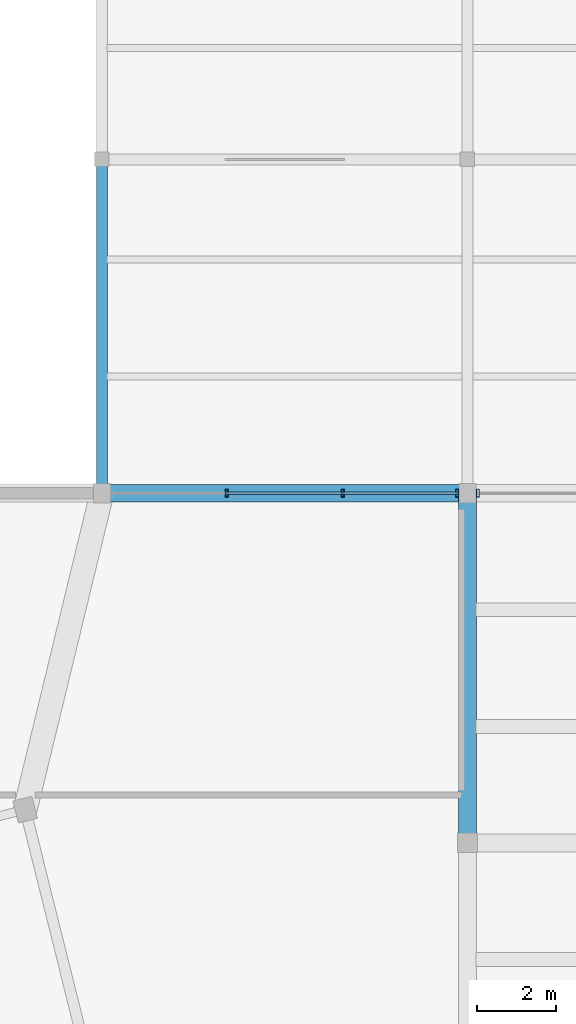
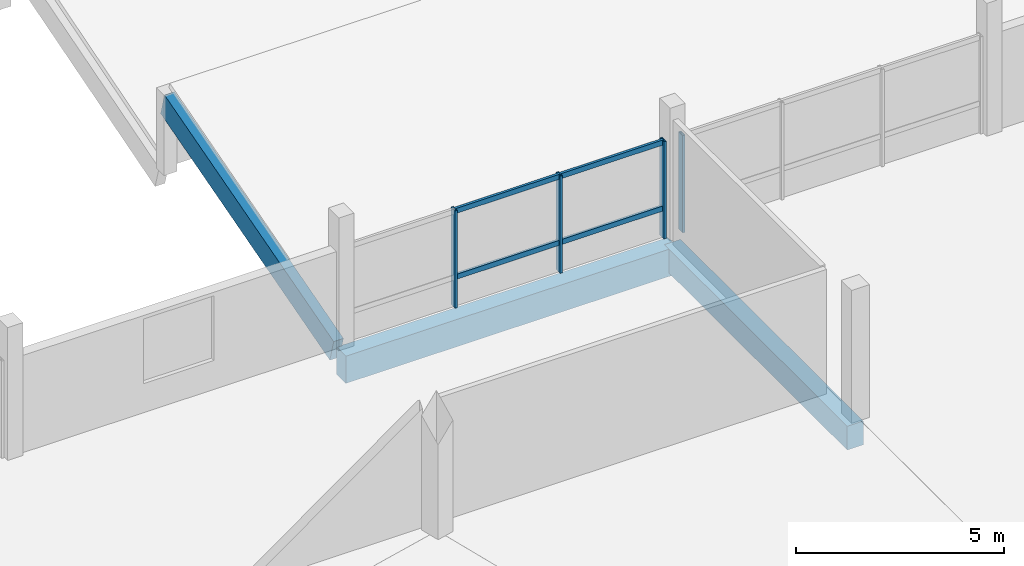
# One storey, part 40 of 62: 8 members, 3 beams, 2 elements without a shape of their own.
"""IFC4 building model written with IfcOpenShell, lengths in metres."""

from ifc_helpers import new_model, si_unit, direction, frame, origin, origin_2d, place, context, subcontext, project, spatial, rectangle, hollow_rectangle, extrude, material, layer, layer_set, material_profile, profile_set, type_object, element, aggregate, save


model = new_model("IFC4")

# Units and contexts
model_context = context("Model", 3, precision=1e-05, world=origin(), true_north=direction((0.0, 1.0)))
body_context = subcontext(model_context, "Body", "Model", "MODEL_VIEW")
ifc_project = project(units=[si_unit("LENGTHUNIT", "METRE"), si_unit("AREAUNIT", "SQUARE_METRE"), si_unit("VOLUMEUNIT", "CUBIC_METRE"), si_unit("PLANEANGLEUNIT", "RADIAN"), si_unit("MASSUNIT", "GRAM", prefix="KILO")], contexts=[model_context])

# Site, building, storey
site_placement = place(None, origin())
site = spatial("IfcSite", under=ifc_project, at=site_placement, CompositionType="ELEMENT")
building_placement = place(site_placement, origin())
building = spatial("IfcBuilding", under=site, at=building_placement, Name="Meriwether Solvik Hall", CompositionType="ELEMENT")
storey_placement = place(building_placement, frame((0.0, 0.0, 14.39990234375)))
storey = spatial("IfcBuildingStorey", under=building, at=storey_placement, Name="L03", CompositionType="ELEMENT", Elevation=14.39990234375)

# Beams
ifc_material_1 = material(Name="Glulam Douglas-Fir 24F-V8 GL28h", Category="wood")
ifc_material_profile_1 = material_profile(ifc_material_1, rectangle(XDim=0.27294921875, YDim=0.68505859375, at=origin_2d()), Name="GLB-273X685")
ifc_profile_set_1 = profile_set([ifc_material_profile_1], Name="Glulam Douglas-Fir 24F-V8 GL28h")
beam_type_1 = type_object("IfcBeamType", Name="BM-GL-273X685", PredefinedType="BEAM", material=ifc_profile_set_1)
beam_1_placement = place(storey_placement, frame((105.0, 93.021484375, -0.3125), z_axis=(0.0, 0.962120295862, 0.272625267155), x_axis=(-1.0, 0.0, 0.0)))
element("IfcBeam", 1, at=beam_1_placement, inside=storey, type_object=beam_type_1, Name="Raking Glulam Roof Rafter w2_saw_1-12 (L03)", PredefinedType="BEAM", context=body_context, shape_type="SweptSolid", body=[
    extrude(rectangle(XDim=0.27294921875, YDim=0.68505859375, at=origin_2d()), origin(), (0.0, 0.0, 1.0), 8.46435546875),
])
ifc_material_2 = material(Name="Concrete C40/50", Category="concrete")
ifc_material_profile_2 = material_profile(ifc_material_2, rectangle(XDim=0.449951171875, YDim=0.699951171875, at=origin_2d()), Name="RCB-450X700")
ifc_profile_set_2 = profile_set([ifc_material_profile_2], Name="Concrete C40/50")
beam_type_2 = type_object("IfcBeamType", Name="BM-RC-450X700", PredefinedType="BEAM", material=ifc_profile_set_2)
beam_2_placement = place(storey_placement, frame((114.199951171875, 84.0, -0.594970703125), z_axis=(0.0, 1.0, 0.0), x_axis=(-1.0, 0.0, 0.0)))
element("IfcBeam", 2, at=beam_2_placement, inside=storey, type_object=beam_type_2, Name="Podium Girder 13:J-K (L03)", PredefinedType="BEAM", context=body_context, shape_type="SweptSolid", body=[
    extrude(rectangle(XDim=0.449951171875, YDim=0.699951171875, at=origin_2d()), origin(), (0.0, 0.0, 1.0), 8.800048828125),
])
ifc_material_3 = material(Name="Concrete C40/50", Category="concrete")
ifc_material_profile_3 = material_profile(ifc_material_3, rectangle(XDim=0.449951171875, YDim=0.800048828125, at=origin_2d()), Name="RCB-450X800")
ifc_profile_set_3 = profile_set([ifc_material_profile_3], Name="Concrete C40/50")
beam_type_3 = type_object("IfcBeamType", Name="BM-RC-450X800", PredefinedType="BEAM", material=ifc_profile_set_3)
beam_3_placement = place(storey_placement, frame((105.0, 92.800048828125, -0.64501953125), z_axis=(1.0, 0.0, 0.0), x_axis=(0.0, 1.0, 0.0)))
element("IfcBeam", 3, at=beam_3_placement, inside=storey, type_object=beam_type_3, Name="Podium Girder K:12-13 (L03)", PredefinedType="BEAM", context=body_context, shape_type="SweptSolid", body=[
    extrude(rectangle(XDim=0.449951171875, YDim=0.800048828125, at=origin_2d()), origin(), (0.0, 0.0, 1.0), 9.199951171875),
])

# Curtain wall, members
ifc_material_4 = material(Name="Thermally Broken Anodised Aluminium 6063-T6 and Low-E Glass", Category="aluminium")
ifc_layer = layer(ifc_material_4, 0.179931640625)
ifc_layer_set = layer_set([ifc_layer], Name="Thermally Broken Anodised Aluminium 6063-T6 and Low-E Glass")
curtain_wall_type = type_object("IfcCurtainWallType", Name="CW-UNIT-E", PredefinedType="USERDEFINED", material=ifc_layer_set)
curtain_wall_1_placement = place(storey_placement, origin())
curtain_wall_1 = element("IfcCurtainWall", 4, at=curtain_wall_1_placement, inside=storey, type_object=curtain_wall_type, Name="Curtain Wall wing_XK_12_17 (L03)", ObjectType="UNITISED CURTAIN WALL", PredefinedType="USERDEFINED")
ifc_material_5 = material(Name="Anodised Aluminium 6063-T6", Category="aluminium")
ifc_material_profile_4 = material_profile(ifc_material_5, hollow_rectangle(XDim=0.070068359375, YDim=0.199951171875, WallThickness=0.0048828125, at=origin_2d()), Name="CWM-70X200")
ifc_profile_set_4 = profile_set([ifc_material_profile_4], Name="Anodised Aluminium 6063-T6")
member_type_1 = type_object("IfcMemberType", Name="CW-MUL-70X200", PredefinedType="MULLION", material=ifc_profile_set_4)
member_1_placement = place(storey_placement, frame((108.140625, 92.800048828125, 0.0), z_axis=(0.0, 0.0, 1.0), x_axis=(1.0, 0.0, 0.0)))
member_1 = element("IfcMember", 5, at=member_1_placement, type_object=member_type_1, Name="Curtain Wall Mullion 2", PredefinedType="MULLION", context=body_context, shape_type="SweptSolid", body=[
    extrude(hollow_rectangle(XDim=0.070068359375, YDim=0.199951171875, WallThickness=0.0048828125, at=origin_2d()), origin(), (0.0, 0.0, 1.0), 2.85498046875),
])
member_2_placement = place(storey_placement, frame((111.059326171875, 92.800048828125, 0.0), z_axis=(0.0, 0.0, 1.0), x_axis=(1.0, 0.0, 0.0)))
member_2 = element("IfcMember", 6, at=member_2_placement, type_object=member_type_1, Name="Curtain Wall Mullion 3", PredefinedType="MULLION", context=body_context, shape_type="SweptSolid", body=[
    extrude(hollow_rectangle(XDim=0.070068359375, YDim=0.199951171875, WallThickness=0.0048828125, at=origin_2d()), origin(), (0.0, 0.0, 1.0), 2.85498046875),
])
member_3_placement = place(storey_placement, frame((113.93994140625, 92.800048828125, 0.0), z_axis=(0.0, 0.0, 1.0), x_axis=(1.0, 0.0, 0.0)))
member_3 = element("IfcMember", 7, at=member_3_placement, type_object=member_type_1, Name="Curtain Wall Mullion 4", PredefinedType="MULLION", context=body_context, shape_type="SweptSolid", body=[
    extrude(hollow_rectangle(XDim=0.070068359375, YDim=0.199951171875, WallThickness=0.0048828125, at=origin_2d()), origin(), (0.0, 0.0, 1.0), 2.85498046875),
])

# Curtain wall, member
curtain_wall_2_placement = place(storey_placement, origin())
curtain_wall_2 = element("IfcCurtainWall", 8, at=curtain_wall_2_placement, inside=storey, type_object=curtain_wall_type, Name="Curtain Wall wing_XK_13_18 (L03)", ObjectType="UNITISED CURTAIN WALL", PredefinedType="USERDEFINED")
member_4_placement = place(storey_placement, frame((114.4599609375, 92.800048828125, 0.0), z_axis=(0.0, 0.0, 1.0), x_axis=(1.0, 0.0, 0.0)))
member_4 = element("IfcMember", 9, at=member_4_placement, type_object=member_type_1, Name="Curtain Wall Mullion 1", PredefinedType="MULLION", context=body_context, shape_type="SweptSolid", body=[
    extrude(hollow_rectangle(XDim=0.070068359375, YDim=0.199951171875, WallThickness=0.0048828125, at=origin_2d()), origin(), (0.0, 0.0, 1.0), 2.85498046875),
])
aggregate(curtain_wall_2, [member_4])

# Member
ifc_material_6 = material(Name="Anodised Aluminium 6063-T6", Category="aluminium")
ifc_material_profile_5 = material_profile(ifc_material_6, hollow_rectangle(XDim=0.070068359375, YDim=0.14990234375, WallThickness=0.0048828125, at=origin_2d()), Name="CWT-70X150")
ifc_profile_set_5 = profile_set([ifc_material_profile_5], Name="Anodised Aluminium 6063-T6")
member_type_2 = type_object("IfcMemberType", Name="CW-TRN-70X150", PredefinedType="USERDEFINED", material=ifc_profile_set_5)
member_5_placement = place(storey_placement, frame((108.140625, 92.800048828125, 0.856689453125), z_axis=(1.0, 0.0, 0.0), x_axis=(0.0, 1.0, 0.0)))
member_5 = element("IfcMember", 10, at=member_5_placement, type_object=member_type_2, Name="Curtain Wall Transom 2-sill", ObjectType="TRANSOM", PredefinedType="USERDEFINED", context=body_context, shape_type="SweptSolid", body=[
    extrude(hollow_rectangle(XDim=0.070068359375, YDim=0.14990234375, WallThickness=0.0048828125, at=origin_2d()), origin(), (0.0, 0.0, 1.0), 2.918701171875),
])

member_6_placement = place(storey_placement, frame((108.140625, 92.800048828125, 2.795166015625), z_axis=(1.0, 0.0, 0.0), x_axis=(0.0, 1.0, 0.0)))
member_6 = element("IfcMember", 11, at=member_6_placement, type_object=member_type_2, Name="Curtain Wall Transom 2-head", ObjectType="TRANSOM", PredefinedType="USERDEFINED", context=body_context, shape_type="SweptSolid", body=[
    extrude(hollow_rectangle(XDim=0.070068359375, YDim=0.14990234375, WallThickness=0.0048828125, at=origin_2d()), origin(), (0.0, 0.0, 1.0), 2.918701171875),
])

member_7_placement = place(storey_placement, frame((111.059326171875, 92.800048828125, 0.856689453125), z_axis=(1.0, 0.0, 0.0), x_axis=(0.0, 1.0, 0.0)))
member_7 = element("IfcMember", 12, at=member_7_placement, type_object=member_type_2, Name="Curtain Wall Transom 3-sill", ObjectType="TRANSOM", PredefinedType="USERDEFINED", context=body_context, shape_type="SweptSolid", body=[
    extrude(hollow_rectangle(XDim=0.070068359375, YDim=0.14990234375, WallThickness=0.0048828125, at=origin_2d()), origin(), (0.0, 0.0, 1.0), 2.880615234375),
])

member_8_placement = place(storey_placement, frame((111.059326171875, 92.800048828125, 2.795166015625), z_axis=(1.0, 0.0, 0.0), x_axis=(0.0, 1.0, 0.0)))
member_8 = element("IfcMember", 13, at=member_8_placement, type_object=member_type_2, Name="Curtain Wall Transom 3-head", ObjectType="TRANSOM", PredefinedType="USERDEFINED", context=body_context, shape_type="SweptSolid", body=[
    extrude(hollow_rectangle(XDim=0.070068359375, YDim=0.14990234375, WallThickness=0.0048828125, at=origin_2d()), origin(), (0.0, 0.0, 1.0), 2.880615234375),
])

aggregate(curtain_wall_1, [member_1, member_2, member_3, member_5, member_6, member_7, member_8])

save(model, "model.ifc")
